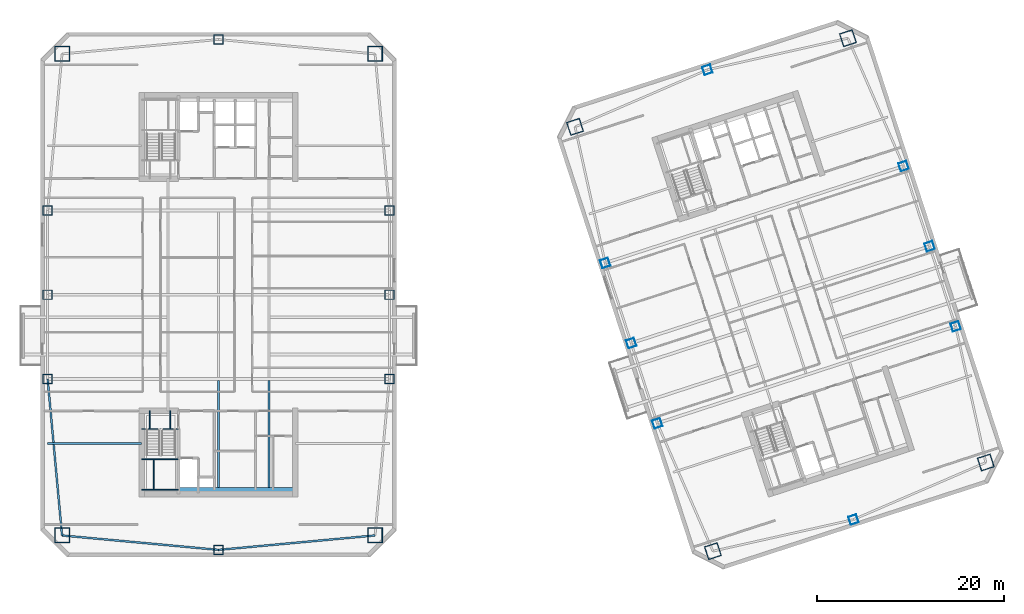
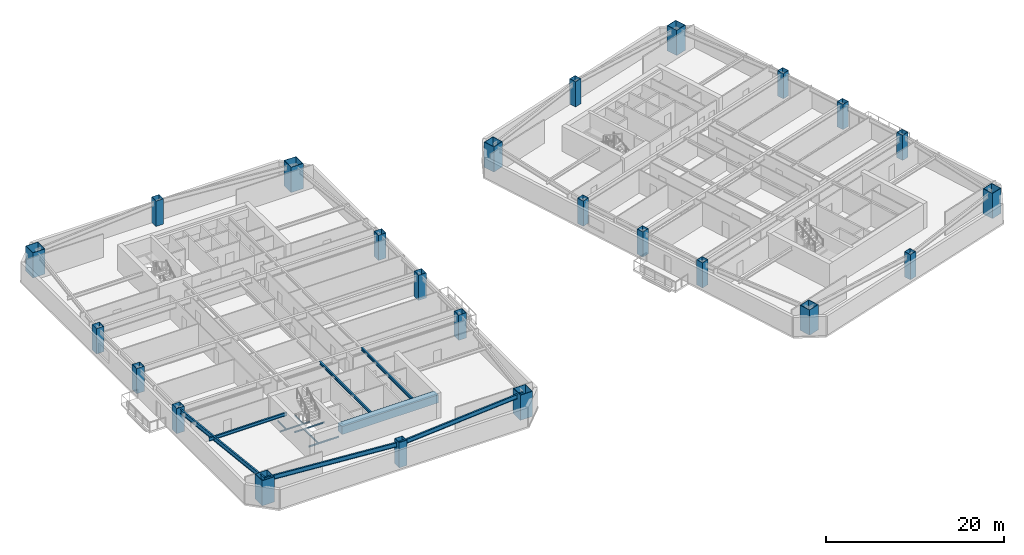
# One storey, part 1 of 14: 24 columns, 13 beams.
"""IFC4 building model written with IfcOpenShell, lengths in metres."""

import ifcopenshell
import ifcopenshell.guid

model = None  # the IFC model being written
_history = None  # IfcOwnerHistory: only IFC2X3 demands one
_inside = {}  # id of a spatial element -> (the spatial element, [elements in it])
_under = {}  # id of a project, library or spatial element -> (it, [spatial elements below it])
_declared = {}  # id of a project -> (the project, [libraries it declares])
_typed = {}  # id of a type object -> (the type object, [elements of that type])
_made_of = {}  # id of a material, layer set ... -> (it, [elements and type objects made of it])


def new_model(schema):
    """Start an empty IFC model of exactly this schema.

    Asked for "IFC4X3", IfcOpenShell would pick the latest addendum, in which some entities
    have other attributes; the version numbers below select the first issue.
    IFC2X3 requires an IfcOwnerHistory on every rooted entity: one is made here for all.
    """
    global model, _history
    if schema == "IFC4X3":
        model = ifcopenshell.file(schema_version=(4, 3, 0, 0))
    else:
        model = ifcopenshell.file(schema=schema)
    _inside.clear()
    _under.clear()
    _declared.clear()
    _typed.clear()
    _made_of.clear()
    _history = None
    if model.schema == "IFC2X3":
        org = make("IfcOrganization", Name="unknown")
        user = make(
            "IfcPersonAndOrganization",
            ThePerson=make("IfcPerson", FamilyName="unknown"),
            TheOrganization=org,
        )
        app = make(
            "IfcApplication",
            ApplicationDeveloper=org,
            Version="unknown",
            ApplicationFullName="unknown",
            ApplicationIdentifier="unknown",
        )
        _history = make(
            "IfcOwnerHistory",
            OwningUser=user,
            OwningApplication=app,
            ChangeAction="ADDED",
            CreationDate=0,
        )
    return model


def make(cls, **values):
    """One entity of the class cls with the attributes given. An attribute that is None is left unset."""
    return model.create_entity(
        cls, **{name: value for name, value in values.items() if value is not None}
    )


def rooted(cls, **values):
    """An entity with a GlobalId (a new one), such as an element, a storey or a relation."""
    return make(cls, GlobalId=ifcopenshell.guid.new(), OwnerHistory=_history, **values)


def si_unit(unit_type, name, prefix=None):
    """IfcSIUnit, for example si_unit("LENGTHUNIT", "METRE", prefix="MILLI")."""
    return make("IfcSIUnit", UnitType=unit_type, Prefix=prefix, Name=name)


def assignment(units):
    """IfcUnitAssignment: the units of a project."""
    return None if units is None else make("IfcUnitAssignment", Units=units)


def point(xyz):
    """IfcCartesianPoint."""
    return None if xyz is None else make("IfcCartesianPoint", Coordinates=xyz)


def direction(xyz):
    """IfcDirection."""
    return None if xyz is None else make("IfcDirection", DirectionRatios=xyz)


def frame(location, z_axis=None, x_axis=None):
    """IfcAxis2Placement3D, a coordinate frame: its origin and axes. An axis left out is left unset."""
    return make(
        "IfcAxis2Placement3D",
        Location=point(location),
        Axis=direction(z_axis),
        RefDirection=direction(x_axis),
    )


def frame_2d(location, x_axis=None):
    """IfcAxis2Placement2D, a coordinate frame in the plane: its origin and x axis."""
    return make(
        "IfcAxis2Placement2D", Location=point(location), RefDirection=direction(x_axis)
    )


def origin():
    """The frame at (0, 0, 0) with its axes left unset."""
    return frame((0.0, 0.0, 0.0))


def origin_2d():
    """The frame at (0, 0) in the plane with its x axis left unset."""
    return frame_2d((0.0, 0.0))


def place(relative_to, where):
    """IfcLocalPlacement: puts the frame where relative to a parent placement (None: the world)."""
    return make(
        "IfcLocalPlacement", PlacementRelTo=relative_to, RelativePlacement=where
    )


def context(
    kind, dimensions, precision=None, world=None, true_north=None, identifier=None
):
    """IfcGeometricRepresentationContext, for example the 3D "Model" context."""
    return make(
        "IfcGeometricRepresentationContext",
        ContextIdentifier=identifier,
        ContextType=kind,
        CoordinateSpaceDimension=dimensions,
        Precision=precision,
        WorldCoordinateSystem=world,
        TrueNorth=true_north,
    )


def subcontext(parent, identifier, kind, view, scale=None):
    """IfcGeometricRepresentationSubContext, for example "Body" below "Model"."""
    return make(
        "IfcGeometricRepresentationSubContext",
        ContextIdentifier=identifier,
        ContextType=kind,
        ParentContext=parent,
        TargetScale=scale,
        TargetView=view,
    )


def project(units=None, contexts=None):
    """IfcProject with its units and contexts."""
    return rooted(
        "IfcProject",
        Name="project",
        RepresentationContexts=contexts,
        UnitsInContext=assignment(units),
    )


def spatial(cls, under=None, at=None, **own):
    """A site, building, storey or space (cls), placed at a placement, below another one or the project."""
    s = rooted(cls, ObjectPlacement=at, **own)
    if under is not None:
        _under.setdefault(under.id(), (under, []))[1].append(s)
    return s


def profile(cls, at=None, kind="AREA", **sizes):
    """A parametric profile (cls). Its sizes go by their IFC names, for example OverallWidth=200.0."""
    return make(cls, ProfileType=kind, Position=at, **sizes)


def rectangle(**sizes):
    """IfcRectangleProfileDef."""
    return profile("IfcRectangleProfileDef", **sizes)


def hollow_rectangle(**sizes):
    """IfcRectangleHollowProfileDef."""
    return profile("IfcRectangleHollowProfileDef", **sizes)


def i_section(**sizes):
    """IfcIShapeProfileDef."""
    return profile("IfcIShapeProfileDef", **sizes)


def extrude(swept, where, along, depth):
    """IfcExtrudedAreaSolid: the profile swept, set in the frame where, extruded along a direction by depth."""
    return make(
        "IfcExtrudedAreaSolid",
        SweptArea=swept,
        Position=where,
        ExtrudedDirection=direction(along),
        Depth=depth,
    )


def shape(context_of_items, identifier, shape_type, items):
    """IfcShapeRepresentation: the items that make up one representation, for example the "Body"."""
    return make(
        "IfcShapeRepresentation",
        ContextOfItems=context_of_items,
        RepresentationIdentifier=identifier,
        RepresentationType=shape_type,
        Items=items,
    )


def material(Name=None, Category=None):
    """IfcMaterial."""
    return make("IfcMaterial", Name=Name, Category=Category)


def material_profile(
    of_material, cross_section, Name=None, Category=None, Priority=None
):
    """IfcMaterialProfile: a cross section and its material."""
    return make(
        "IfcMaterialProfile",
        Name=Name,
        Material=of_material,
        Profile=cross_section,
        Priority=Priority,
        Category=Category,
    )


def profile_set(profiles, Name=None, composite=None):
    """IfcMaterialProfileSet."""
    return make(
        "IfcMaterialProfileSet",
        Name=Name,
        MaterialProfiles=profiles,
        CompositeProfile=composite,
    )


def made_of(thing, what):
    """Note that an element or type object is made of a material, layer set ...; save() writes the relation."""
    if what is not None:
        _made_of.setdefault(what.id(), (what, []))[1].append(thing)
    return thing


def type_object(cls, material=None, **own):
    """A type object (cls), such as IfcWallType, which elements share."""
    return made_of(rooted(cls, **own), material)


def element(
    cls,
    number,
    at=None,
    inside=None,
    cuts=None,
    type_object=None,
    material=None,
    context=None,
    identifier="Body",
    shape_type=None,
    held_by="IfcProductDefinitionShape",
    body=None,
    shapes=None,
    **own,
):
    """One element of the class cls, such as IfcWall. Its Tag is "e" and its number.

    at: its placement. inside: the storey or other place that contains it. cuts: it is an
    opening in that element (IfcRelVoidsElement). A single representation is given by context,
    identifier, shape_type and body (its items); several are given by shapes. held_by: the class
    of the entity that holds the representations. save() writes the other relations.
    """
    e = rooted(cls, Tag="e%d" % number, ObjectPlacement=at, **own)
    if body is not None:
        shapes = [shape(context, identifier, shape_type, body)]
    if shapes is not None:
        e.Representation = make(held_by, Representations=shapes)
    if inside is not None:
        _inside.setdefault(inside.id(), (inside, []))[1].append(e)
    if cuts is not None:
        rooted(
            "IfcRelVoidsElement", RelatingBuildingElement=cuts, RelatedOpeningElement=e
        )
    if type_object is not None:
        _typed.setdefault(type_object.id(), (type_object, []))[1].append(e)
    return made_of(e, material)


def aggregate(whole, parts):
    """IfcRelAggregates: a whole, such as a stair, and the parts it consists of."""
    return rooted("IfcRelAggregates", RelatingObject=whole, RelatedObjects=parts)


def save(model, path):
    """Write the relations noted so far, then the file.

    IfcRelAggregates (storeys below a building ...), IfcRelContainedInSpatialStructure (elements
    in a storey), IfcRelDefinesByType, IfcRelAssociatesMaterial and IfcRelDeclares: one each for
    every whole, place, type object, material and project.
    """
    for whole, parts in _under.values():
        aggregate(whole, parts)
    for where, things in _inside.values():
        rooted(
            "IfcRelContainedInSpatialStructure",
            RelatedElements=things,
            RelatingStructure=where,
        )
    for kind, things in _typed.values():
        rooted("IfcRelDefinesByType", RelatedObjects=things, RelatingType=kind)
    for what, things in _made_of.values():
        rooted("IfcRelAssociatesMaterial", RelatedObjects=things, RelatingMaterial=what)
    for by, libraries in _declared.values():
        rooted("IfcRelDeclares", RelatingContext=by, RelatedDefinitions=libraries)
    model.write(path)


model = new_model("IFC4")

# Units and contexts
model_context = context("Model", 3, precision=1e-05, world=origin(), true_north=direction((0.0, 1.0)))
body_context = subcontext(model_context, "Body", "Model", "MODEL_VIEW")
ifc_project = project(units=[si_unit("LENGTHUNIT", "METRE"), si_unit("AREAUNIT", "SQUARE_METRE"), si_unit("VOLUMEUNIT", "CUBIC_METRE"), si_unit("PLANEANGLEUNIT", "RADIAN"), si_unit("MASSUNIT", "GRAM", prefix="KILO")], contexts=[model_context])

# Site, building, storey
site_placement = place(None, origin())
site = spatial("IfcSite", under=ifc_project, at=site_placement, CompositionType="ELEMENT")
building_placement = place(site_placement, origin())
building = spatial("IfcBuilding", under=site, at=building_placement, Name="Qiaolan Cultural Towers", CompositionType="ELEMENT")
storey_placement = place(building_placement, frame((0.0, 0.0, 124.199951171875)))
storey = spatial("IfcBuildingStorey", under=building, at=storey_placement, Name="L32", CompositionType="ELEMENT", Elevation=124.199951171875)

# Columns
ifc_material_1 = material(Name="Steel Q355B", Category="steel")
ifc_material_profile_1 = material_profile(ifc_material_1, hollow_rectangle(XDim=1.0, YDim=1.0, WallThickness=0.035888671875, at=origin_2d()), Name="BOX1000x1000x36")
ifc_profile_set_1 = profile_set([ifc_material_profile_1], Name="Steel Q355B")
column_type_1 = type_object("IfcColumnType", Name="COL-BOX1000x1000x36", PredefinedType="COLUMN", material=ifc_profile_set_1)
for number, where, z_axis, x_axis, name in (
    (1, (11.75, 25.0, 0.0), (0.0, 0.0, 1.0), (1.0, 0.0, 0.0), "L32 T1 Perimeter Column PC-W1"),
    (2, (11.75, 34.0, 0.0), (0.0, 0.0, 1.0), (1.0, 0.0, 0.0), "L32 T1 Perimeter Column PC-W2"),
    (3, (11.75, 43.0, 0.0), (0.0, 0.0, 1.0), (1.0, 0.0, 0.0), "L32 T1 Perimeter Column PC-W3"),
    (4, (48.25, 25.0, 0.0), (0.0, 0.0, 1.0), (1.0, 0.0, 0.0), "L32 T1 Perimeter Column PC-E1"),
    (5, (48.25, 34.0, 0.0), (0.0, 0.0, 1.0), (1.0, 0.0, 0.0), "L32 T1 Perimeter Column PC-E2"),
    (6, (48.25, 43.0, 0.0), (0.0, 0.0, 1.0), (1.0, 0.0, 0.0), "L32 T1 Perimeter Column PC-E3"),
    (7, (30.0, 6.75, 0.0), (0.0, 0.0, 1.0), (1.0, 0.0, 0.0), "L32 T1 Perimeter Column PC-S0"),
    (8, (30.0, 61.25, 0.0), (0.0, 0.0, 1.0), (1.0, 0.0, 0.0), "L32 T1 Perimeter Column PC-N0"),
):
    element("IfcColumn", number, at=place(storey_placement, frame(where, z_axis=z_axis, x_axis=x_axis)), inside=storey, type_object=column_type_1, Name=name, PredefinedType="COLUMN", context=body_context, shape_type="SweptSolid", body=[
        extrude(hollow_rectangle(XDim=1.0, YDim=1.0, WallThickness=0.035888671875, at=origin_2d()), origin(), (0.0, 0.0, 1.0), 3.450927734375),
    ])
ifc_material_2 = material(Name="Steel Q420GJB", Category="steel")
ifc_material_profile_2 = material_profile(ifc_material_2, hollow_rectangle(XDim=1.449951171875, YDim=1.449951171875, WallThickness=0.050048828125, at=origin_2d()), Name="BOX1450x1450x50")
ifc_profile_set_2 = profile_set([ifc_material_profile_2], Name="Steel Q420GJB")
column_type_2 = type_object("IfcColumnType", Name="COL-BOX1450x1450x50", PredefinedType="COLUMN", material=ifc_profile_set_2)
for number, where, z_axis, x_axis, name in (
    (9, (82.79052734375, 6.611572265625, 0.0), (0.0, 0.0, 1.0), (0.951056516295, 0.309016994375, 0.0), "L32 T2 Perimeter Column MC-SW"),
    (10, (111.930908203125, 16.080078125, 0.0), (0.0, 0.0, 1.0), (0.951056516295, 0.309016994375, 0.0), "L32 T2 Perimeter Column MC-SE"),
    (11, (97.20947265625, 61.388427734375, 0.0), (0.0, 0.0, 1.0), (0.951056516295, 0.309016994375, 0.0), "L32 T2 Perimeter Column MC-NE"),
    (12, (68.069091796875, 51.919921875, 0.0), (0.0, 0.0, 1.0), (0.951056516295, 0.309016994375, 0.0), "L32 T2 Perimeter Column MC-NW"),
):
    element("IfcColumn", number, at=place(storey_placement, frame(where, z_axis=z_axis, x_axis=x_axis)), inside=storey, type_object=column_type_2, Name=name, PredefinedType="COLUMN", context=body_context, shape_type="SweptSolid", body=[
        extrude(hollow_rectangle(XDim=1.449951171875, YDim=1.449951171875, WallThickness=0.050048828125, at=origin_2d()), origin(), (0.0, 0.0, 1.0), 3.450927734375),
    ])
ifc_material_3 = material(Name="Steel Q420GJB", Category="steel")
ifc_material_profile_3 = material_profile(ifc_material_3, hollow_rectangle(XDim=1.60009765625, YDim=1.60009765625, WallThickness=0.054931640625, at=origin_2d()), Name="BOX1600x1600x55")
ifc_profile_set_3 = profile_set([ifc_material_profile_3], Name="Steel Q420GJB")
column_type_3 = type_object("IfcColumnType", Name="COL-BOX1600x1600x55", PredefinedType="COLUMN", material=ifc_profile_set_3)
for number, where, z_axis, x_axis, name in (
    (13, (13.2900390625, 8.2900390625, 0.0), (0.0, 0.0, 1.0), (1.0, 0.0, 0.0), "L32 T1 Perimeter Column MC-SW"),
    (14, (46.7099609375, 8.2900390625, 0.0), (0.0, 0.0, 1.0), (1.0, 0.0, 0.0), "L32 T1 Perimeter Column MC-SE"),
    (15, (46.7099609375, 59.7099609375, 0.0), (0.0, 0.0, 1.0), (1.0, 0.0, 0.0), "L32 T1 Perimeter Column MC-NE"),
    (16, (13.2900390625, 59.7099609375, 0.0), (0.0, 0.0, 1.0), (1.0, 0.0, 0.0), "L32 T1 Perimeter Column MC-NW"),
):
    element("IfcColumn", number, at=place(storey_placement, frame(where, z_axis=z_axis, x_axis=x_axis)), inside=storey, type_object=column_type_3, Name=name, PredefinedType="COLUMN", context=body_context, shape_type="SweptSolid", body=[
        extrude(hollow_rectangle(XDim=1.60009765625, YDim=1.60009765625, WallThickness=0.054931640625, at=origin_2d()), origin(), (0.0, 0.0, 1.0), 3.450927734375),
    ])
ifc_material_4 = material(Name="Steel Q355B", Category="steel")
ifc_material_profile_4 = material_profile(ifc_material_4, hollow_rectangle(XDim=0.89990234375, YDim=0.89990234375, WallThickness=0.031982421875, at=origin_2d()), Name="BOX900x900x32")
ifc_profile_set_4 = profile_set([ifc_material_profile_4], Name="Steel Q355B")
column_type_4 = type_object("IfcColumnType", Name="COL-BOX900x900x32", PredefinedType="COLUMN", material=ifc_profile_set_4)
for number, where, z_axis, x_axis, name in (
    (17, (76.85107421875, 20.264404296875, 0.0), (0.0, 0.0, 1.0), (0.951056516295, 0.309016994375, 0.0), "L32 T2 Perimeter Column PC-W1"),
    (18, (74.06982421875, 28.823974609375, 0.0), (0.0, 0.0, 1.0), (0.951056516295, 0.309016994375, 0.0), "L32 T2 Perimeter Column PC-W2"),
    (19, (71.28857421875, 37.383544921875, 0.0), (0.0, 0.0, 1.0), (0.951056516295, 0.309016994375, 0.0), "L32 T2 Perimeter Column PC-W3"),
    (20, (108.71142578125, 30.616455078125, 0.0), (0.0, 0.0, 1.0), (0.951056516295, 0.309016994375, 0.0), "L32 T2 Perimeter Column PC-E1"),
    (21, (105.93017578125, 39.176025390625, 0.0), (0.0, 0.0, 1.0), (0.951056516295, 0.309016994375, 0.0), "L32 T2 Perimeter Column PC-E2"),
    (22, (103.14892578125, 47.735595703125, 0.0), (0.0, 0.0, 1.0), (0.951056516295, 0.309016994375, 0.0), "L32 T2 Perimeter Column PC-E3"),
    (23, (97.802734375, 9.98583984375, 0.0), (0.0, 0.0, 1.0), (0.951056516295, 0.309016994375, 0.0), "L32 T2 Perimeter Column PC-S0"),
    (24, (82.197265625, 58.01416015625, 0.0), (0.0, 0.0, 1.0), (0.951056516295, 0.309016994375, 0.0), "L32 T2 Perimeter Column PC-N0"),
):
    element("IfcColumn", number, at=place(storey_placement, frame(where, z_axis=z_axis, x_axis=x_axis)), inside=storey, type_object=column_type_4, Name=name, PredefinedType="COLUMN", context=body_context, shape_type="SweptSolid", body=[
        extrude(hollow_rectangle(XDim=0.89990234375, YDim=0.89990234375, WallThickness=0.031982421875, at=origin_2d()), origin(), (0.0, 0.0, 1.0), 3.450927734375),
    ])

# Beams
ifc_material_5 = material(Name="Steel Q355B", Category="steel")
ifc_material_profile_5 = material_profile(ifc_material_5, i_section(OverallWidth=0.199951171875, OverallDepth=0.39990234375, WebThickness=0.008056640625, FlangeThickness=0.012939453125, at=origin_2d()), Name="HN400x200x8x13")
ifc_profile_set_5 = profile_set([ifc_material_profile_5], Name="Steel Q355B")
beam_type_1 = type_object("IfcBeamType", Name="BM-JST-HN400x200x8x13", PredefinedType="JOIST", material=ifc_profile_set_5)
for number, where, z_axis, x_axis, name in (
    (25, (30.0, 13.39990234375, 2.989990234375), (0.0, 1.0, 0.0), (-1.0, 0.0, 0.0), "L32 T1 Secondary Floor Joist U2-1"),
    (26, (35.39990234375, 13.39990234375, 2.989990234375), (0.0, 1.0, 0.0), (-1.0, 0.0, 0.0), "L32 T1 Secondary Floor Joist U3-1"),
):
    element("IfcBeam", number, at=place(storey_placement, frame(where, z_axis=z_axis, x_axis=x_axis)), inside=storey, type_object=beam_type_1, Name=name, PredefinedType="JOIST", context=body_context, shape_type="SweptSolid", body=[
        extrude(i_section(OverallWidth=0.199951171875, OverallDepth=0.39990234375, WebThickness=0.008056640625, FlangeThickness=0.012939453125, at=origin_2d()), origin(), (0.0, 0.0, 1.0), 11.4501953125),
    ])
ifc_material_6 = material(Name="Steel Q355B", Category="steel")
ifc_material_profile_6 = material_profile(ifc_material_6, i_section(OverallWidth=0.199951171875, OverallDepth=0.449951171875, WebThickness=0.009033203125, FlangeThickness=0.013916015625, at=origin_2d()), Name="HN450x200x9x14")
ifc_profile_set_6 = profile_set([ifc_material_profile_6], Name="Steel Q355B")
beam_type_2 = type_object("IfcBeamType", Name="BM-LNT-HN450x200x9x14", PredefinedType="LINTEL", material=ifc_profile_set_6)
beam_1_placement = place(storey_placement, frame((21.800048828125, 18.10009765625, 2.965087890625), z_axis=(-1.0, 0.0, 0.0), x_axis=(0.0, -1.0, 0.0)))
element("IfcBeam", 27, at=beam_1_placement, inside=storey, type_object=beam_type_2, Name="L32 T1 Core Flank Tie Lintel WS", PredefinedType="LINTEL", context=body_context, shape_type="SweptSolid", body=[
    extrude(i_section(OverallWidth=0.199951171875, OverallDepth=0.449951171875, WebThickness=0.009033203125, FlangeThickness=0.013916015625, at=origin_2d()), origin(), (0.0, 0.0, 1.0), 10.050048828125),
])
ifc_material_7 = material(Name="Concrete C50", Category="concrete")
ifc_material_profile_7 = material_profile(ifc_material_7, rectangle(XDim=0.89990234375, YDim=1.10009765625, at=origin_2d()), Name="RC900x1100")
ifc_profile_set_7 = profile_set([ifc_material_profile_7], Name="Concrete C50")
beam_type_3 = type_object("IfcBeamType", Name="BM-RC900x1100", PredefinedType="BEAM", material=ifc_profile_set_7)
beam_2_placement = place(storey_placement, frame((25.719970703125, 12.949951171875, 2.64013671875), z_axis=(1.0, 0.0, 0.0), x_axis=(0.0, 1.0, 0.0)))
element("IfcBeam", 28, at=beam_2_placement, inside=storey, type_object=beam_type_3, Name="L32 T1 Core Header Girder S", PredefinedType="BEAM", context=body_context, shape_type="SweptSolid", body=[
    extrude(rectangle(XDim=0.89990234375, YDim=1.10009765625, at=origin_2d()), origin(), (0.0, 0.0, 1.0), 12.47998046875),
])
ifc_material_8 = material(Name="Steel Q355B", Category="steel")
ifc_material_profile_8 = material_profile(ifc_material_8, i_section(OverallWidth=0.199951171875, OverallDepth=0.60009765625, WebThickness=0.010986328125, FlangeThickness=0.01708984375, at=origin_2d()), Name="HN600x200x11x17")
ifc_profile_set_8 = profile_set([ifc_material_profile_8], Name="Steel Q355B")
beam_type_4 = type_object("IfcBeamType", Name="BM-SPD-HN600x200x11x17", PredefinedType="SPANDREL", material=ifc_profile_set_8)
for number, where, z_axis, x_axis, name in (
    (29, (13.2900390625, 8.2900390625, 2.89013671875), (0.995779862064, -0.09177399582, 0.0), (0.09177399582, 0.995779862064, 0.0), "L32 T1 Perimeter Spandrel Beam 1"),
    (30, (30.0, 6.75, 2.89013671875), (0.995779862064, 0.09177399582, 0.0), (-0.09177399582, 0.995779862064, 0.0), "L32 T1 Perimeter Spandrel Beam 2"),
    (31, (11.75, 25.0, 2.89013671875), (0.09177399582, -0.995779862064, 0.0), (0.995779862064, 0.09177399582, 0.0), "L32 T1 Perimeter Spandrel Beam 12"),
):
    element("IfcBeam", number, at=place(storey_placement, frame(where, z_axis=z_axis, x_axis=x_axis)), inside=storey, type_object=beam_type_4, Name=name, PredefinedType="SPANDREL", context=body_context, shape_type="SweptSolid", body=[
        extrude(i_section(OverallWidth=0.199951171875, OverallDepth=0.60009765625, WebThickness=0.010986328125, FlangeThickness=0.01708984375, at=origin_2d()), origin(), (0.0, 0.0, 1.0), 16.78076171875),
    ])
ifc_material_9 = material(Name="Steel Q355B", Category="steel")
ifc_material_profile_9 = material_profile(ifc_material_9, i_section(OverallWidth=0.10009765625, OverallDepth=0.199951171875, WebThickness=0.005615234375, FlangeThickness=0.008056640625, at=origin_2d()), Name="HN200x100x5.5x8")
ifc_profile_set_9 = profile_set([ifc_material_profile_9], Name="Steel Q355B")
beam_type_5 = type_object("IfcBeamType", Name="BM-STTRIM-200", PredefinedType="BEAM", material=ifc_profile_set_9)
beam_3_placement = place(storey_placement, frame((21.800048828125, 19.659912109375, -0.4599609375), z_axis=(1.0, 0.0, 0.0), x_axis=(0.0, 1.0, 0.0)))
element("IfcBeam", 32, at=beam_3_placement, inside=storey, type_object=beam_type_5, Name="L32 ST-W1 Floor Landing Header Beam", PredefinedType="BEAM", context=body_context, shape_type="SweptSolid", body=[
    extrude(i_section(OverallWidth=0.10009765625, OverallDepth=0.199951171875, WebThickness=0.005615234375, FlangeThickness=0.008056640625, at=origin_2d()), origin(), (0.0, 0.0, 1.0), 3.919921875),
])
for number, where, z_axis, x_axis, name in (
    (33, (22.64990234375, 21.60009765625, -0.4599609375), (0.0, -1.0, 0.0), (1.0, 0.0, 0.0), "L32 ST-W1 Floor Landing Stringer 1"),
    (34, (24.85009765625, 21.60009765625, -0.4599609375), (0.0, -1.0, 0.0), (1.0, 0.0, 0.0), "L32 ST-W1 Floor Landing Stringer 2"),
):
    element("IfcBeam", number, at=place(storey_placement, frame(where, z_axis=z_axis, x_axis=x_axis)), inside=storey, type_object=beam_type_5, Name=name, PredefinedType="BEAM", context=body_context, shape_type="SweptSolid", body=[
        extrude(i_section(OverallWidth=0.10009765625, OverallDepth=0.199951171875, WebThickness=0.005615234375, FlangeThickness=0.008056640625, at=origin_2d()), origin(), (0.0, 0.0, 1.0), 1.940185546875),
    ])
for number, where, z_axis, x_axis, name in (
    (35, (21.800048828125, 16.411376953125, 1.425048828125), (1.0, 0.0, 0.0), (0.0, 1.0, 0.0), "L32 ST-W1 Stair Landing Support Beam 1-1"),
    (36, (21.800048828125, 13.179931640625, 1.425048828125), (1.0, 0.0, 0.0), (0.0, 1.0, 0.0), "L32 ST-W1 Stair Landing Support Beam 1-2"),
):
    element("IfcBeam", number, at=place(storey_placement, frame(where, z_axis=z_axis, x_axis=x_axis)), inside=storey, type_object=beam_type_5, Name=name, PredefinedType="BEAM", context=body_context, shape_type="SweptSolid", body=[
        extrude(i_section(OverallWidth=0.10009765625, OverallDepth=0.199951171875, WebThickness=0.005615234375, FlangeThickness=0.008056640625, at=origin_2d()), origin(), (0.0, 0.0, 1.0), 3.919921875),
    ])
beam_4_placement = place(storey_placement, frame((23.070068359375, 16.411376953125, 1.425048828125), z_axis=(0.0, -1.0, 0.0), x_axis=(1.0, 0.0, 0.0)))
element("IfcBeam", 37, at=beam_4_placement, inside=storey, type_object=beam_type_5, Name="L32 ST-W1 Stair Landing Trimmer 1", PredefinedType="BEAM", context=body_context, shape_type="SweptSolid", body=[
    extrude(i_section(OverallWidth=0.10009765625, OverallDepth=0.199951171875, WebThickness=0.005615234375, FlangeThickness=0.008056640625, at=origin_2d()), origin(), (0.0, 0.0, 1.0), 3.2314453125),
])

save(model, "model.ifc")
